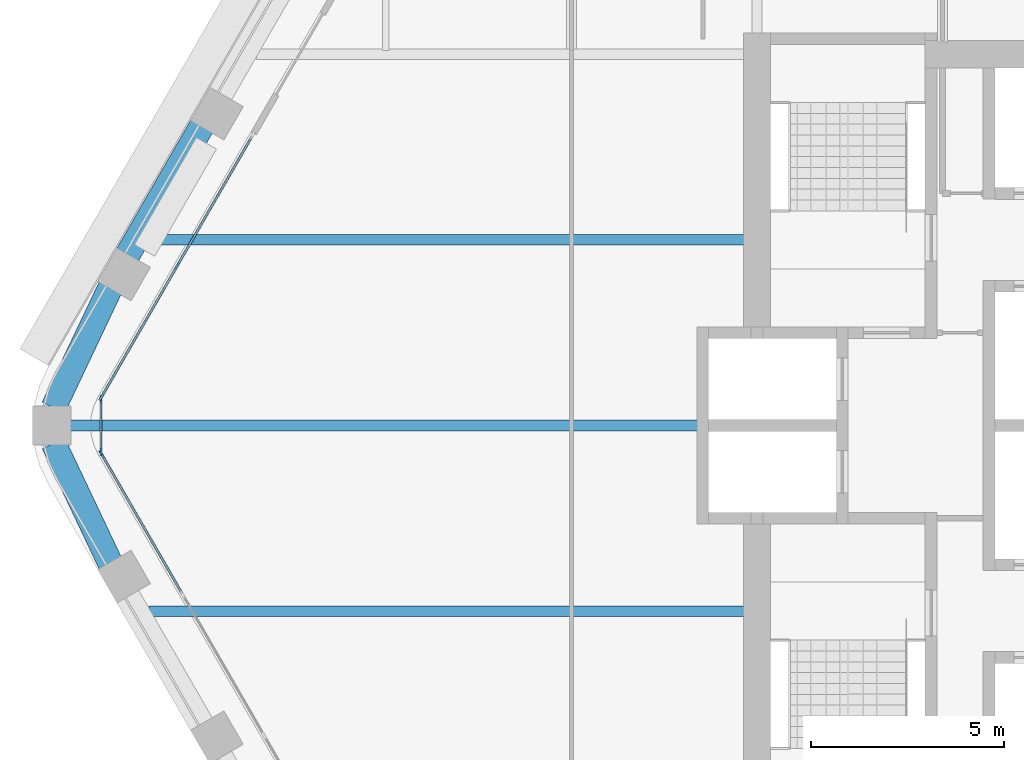
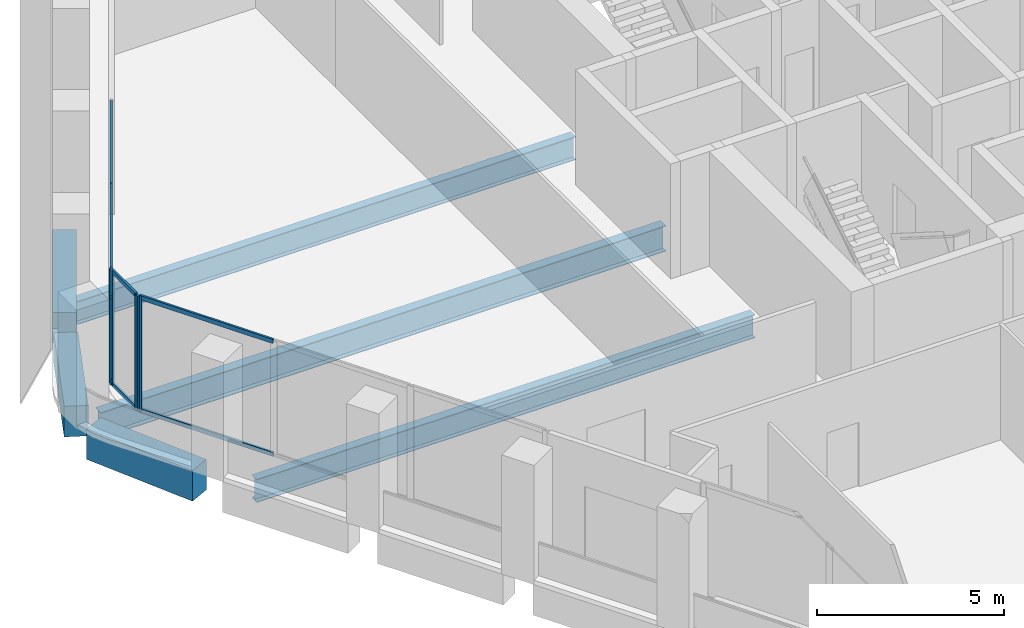
# One storey, part 3 of 15: 13 members, 6 beams, 3 elements without a shape of their own.
"""IFC4 building model written with IfcOpenShell, lengths in metres."""

from ifc_helpers import new_model, si_unit, direction, frame, origin, origin_2d, place, context, subcontext, project, spatial, rectangle, i_section, extrude, material, material_profile, profile_set, type_object, element, aggregate, save


model = new_model("IFC4")

# Units and contexts
model_context = context("Model", 3, precision=1e-05, world=origin(), true_north=direction((0.0, 1.0)))
body_context = subcontext(model_context, "Body", "Model", "MODEL_VIEW")
ifc_project = project(units=[si_unit("LENGTHUNIT", "METRE"), si_unit("AREAUNIT", "SQUARE_METRE"), si_unit("VOLUMEUNIT", "CUBIC_METRE"), si_unit("PLANEANGLEUNIT", "RADIAN"), si_unit("MASSUNIT", "GRAM", prefix="KILO")], contexts=[model_context])

# Site, building, storey
site_placement = place(None, origin())
site = spatial("IfcSite", under=ifc_project, at=site_placement, CompositionType="ELEMENT")
building_placement = place(site_placement, origin())
building = spatial("IfcBuilding", under=site, at=building_placement, Name="Kolab Exchange Tower", CompositionType="ELEMENT")
storey_placement = place(building_placement, frame((0.0, 0.0, 154.39990234375)))
storey = spatial("IfcBuildingStorey", under=building, at=storey_placement, Name="L31", CompositionType="ELEMENT", Elevation=154.39990234375)

# Beams
ifc_material_1 = material(Name="Steel S355", Category="steel")
ifc_material_profile_1 = material_profile(ifc_material_1, i_section(OverallWidth=0.26708984375, OverallDepth=0.761962890625, WebThickness=0.014404296875, FlangeThickness=0.021484375, at=origin_2d()), Name="W760X173")
ifc_profile_set_1 = profile_set([ifc_material_profile_1], Name="Steel S355")
beam_type_1 = type_object("IfcBeamType", Name="FLOOR BEAM W760X173", PredefinedType="BEAM", material=ifc_profile_set_1)
for number, where, z_axis, x_axis, name in (
    (1, (-25.318115234375, -4.800048828125, -0.531005859375), (1.0, 0.0, 0.0), (0.0, 1.0, 0.0), "beam/L31/fr/001"),
    (2, (-25.318115234375, 4.800048828125, -0.531005859375), (1.0, 0.0, 0.0), (0.0, 1.0, 0.0), "beam/L31/fr/002"),
):
    element("IfcBeam", number, at=place(storey_placement, frame(where, z_axis=z_axis, x_axis=x_axis)), inside=storey, type_object=beam_type_1, Name=name, PredefinedType="BEAM", context=body_context, shape_type="SweptSolid", body=[
        extrude(i_section(OverallWidth=0.26708984375, OverallDepth=0.761962890625, WebThickness=0.014404296875, FlangeThickness=0.021484375, at=origin_2d()), origin(), (0.0, 0.0, 1.0), 15.408203125),
    ])
ifc_material_profile_2 = material_profile(ifc_material_1, i_section(OverallWidth=0.2919921875, OverallDepth=0.840087890625, WebThickness=0.0146484375, FlangeThickness=0.021728515625, at=origin_2d()), Name="W840X193")
ifc_profile_set_2 = profile_set([ifc_material_profile_2], Name="Steel S355")
beam_type_2 = type_object("IfcBeamType", Name="FLOOR BEAM W840X193", PredefinedType="BEAM", material=ifc_profile_set_2)
beam_1_placement = place(storey_placement, frame((-27.3759765625, 0.0, -0.56982421875), z_axis=(1.0, 0.0, 0.0), x_axis=(0.0, 1.0, 0.0)))
element("IfcBeam", 3, at=beam_1_placement, inside=storey, type_object=beam_type_2, Name="beam/L31/fr/000", PredefinedType="BEAM", context=body_context, shape_type="SweptSolid", body=[
    extrude(i_section(OverallWidth=0.2919921875, OverallDepth=0.840087890625, WebThickness=0.0146484375, FlangeThickness=0.021728515625, at=origin_2d()), origin(), (0.0, 0.0, 1.0), 17.466064453125),
])
ifc_material_2 = material(Name="Concrete C60/75", Category="concrete")
ifc_material_profile_3 = material_profile(ifc_material_2, rectangle(XDim=0.64990234375, YDim=1.0, at=origin_2d()), Name="RC650X1000")
ifc_profile_set_3 = profile_set([ifc_material_profile_3], Name="Concrete C60/75")
beam_type_3 = type_object("IfcBeamType", Name="SPANDREL BEAM 650X1000 C60/75", PredefinedType="BEAM", material=ifc_profile_set_3)
for number, where, z_axis, x_axis, name in (
    (4, (-26.316162109375, -3.5771484375, -0.64990234375), (-0.428177731975, 0.903694544545, 0.0), (-0.903694544545, -0.428177731975, 0.0), "beam/L31/sp/F5-06"),
    (5, (-27.791259765625, 0.4638671875, -0.64990234375), (0.428177731975, 0.903694544545, 0.0), (-0.903694544545, 0.428177731975, 0.0), "beam/L31/sp/F6-01"),
):
    element("IfcBeam", number, at=place(storey_placement, frame(where, z_axis=z_axis, x_axis=x_axis)), inside=storey, type_object=beam_type_3, Name=name, PredefinedType="BEAM", context=body_context, shape_type="SweptSolid", body=[
        extrude(rectangle(XDim=0.64990234375, YDim=1.0, at=origin_2d()), origin(), (0.0, 0.0, 1.0), 3.445068359375),
    ])
beam_2_placement = place(storey_placement, frame((-25.888427734375, 4.392822265625, -0.64990234375), z_axis=(0.499996613652, 0.866027358884, 0.0), x_axis=(-0.866027358884, 0.499996613652, 0.0)))
element("IfcBeam", 6, at=beam_2_placement, inside=storey, type_object=beam_type_3, Name="beam/L31/sp/F6-02", PredefinedType="BEAM", context=body_context, shape_type="SweptSolid", body=[
    extrude(rectangle(XDim=0.64990234375, YDim=1.0, at=origin_2d()), origin(), (0.0, 0.0, 1.0), 3.8798828125),
])

# Curtain wall, member
ifc_material_3 = material(Name="Aluminium EN AW-6063 T6", Category="aluminium")
curtain_wall_type = type_object("IfcCurtainWallType", Name="UNITISED UPPER MID ZONE CURTAIN WALL", PredefinedType="NOTDEFINED", material=ifc_material_3)
curtain_wall_1_placement = place(storey_placement, origin())
curtain_wall_1 = element("IfcCurtainWall", 7, at=curtain_wall_1_placement, inside=storey, type_object=curtain_wall_type, Name="cw/L31/F5-2", PredefinedType="NOTDEFINED")
ifc_material_profile_4 = material_profile(ifc_material_3, rectangle(XDim=0.06005859375, YDim=0.199951171875, at=origin_2d()), Name="RECT 60X200")
ifc_profile_set_4 = profile_set([ifc_material_profile_4], Name="Aluminium EN AW-6063 T6")
member_type_1 = type_object("IfcMemberType", Name="UNITISED UPPER MID ZONE MULLION 60 X 200", PredefinedType="MULLION", material=ifc_profile_set_4)
member_1_placement = place(storey_placement, frame((-26.550537109375, -0.736083984375, 0.0), z_axis=(0.0, 0.0, 1.0), x_axis=(-0.866025427826, -0.499999958358, 0.0)))
member_1 = element("IfcMember", 8, at=member_1_placement, type_object=member_type_1, Name="CW3 mullion 4", PredefinedType="MULLION", context=body_context, shape_type="SweptSolid", body=[
    extrude(rectangle(XDim=0.06005859375, YDim=0.199951171875, at=origin_2d()), origin(), (0.0, 0.0, 1.0), 3.75),
])

# Curtain wall, members
curtain_wall_2_placement = place(storey_placement, origin())
curtain_wall_2 = element("IfcCurtainWall", 9, at=curtain_wall_2_placement, inside=storey, type_object=curtain_wall_type, Name="cw/L31/F6-1", PredefinedType="NOTDEFINED")
member_2_placement = place(storey_placement, frame((-26.550537109375, 0.736083984375, 0.0), z_axis=(0.0, 0.0, 1.0), x_axis=(-0.866025440524, 0.499999936366, 0.0)))
member_2 = element("IfcMember", 10, at=member_2_placement, type_object=member_type_1, Name="CW3 mullion 1", PredefinedType="MULLION", context=body_context, shape_type="SweptSolid", body=[
    extrude(rectangle(XDim=0.06005859375, YDim=0.199951171875, at=origin_2d()), origin(), (0.0, 0.0, 1.0), 3.75),
])
member_3_placement = place(storey_placement, frame((-24.5986328125, 4.116943359375, 0.0), z_axis=(0.0, 0.0, 1.0), x_axis=(-0.866025440524, 0.499999936366, 0.0)))
member_3 = element("IfcMember", 11, at=member_3_placement, type_object=member_type_1, Name="CW3 mullion 2", PredefinedType="MULLION", context=body_context, shape_type="SweptSolid", body=[
    extrude(rectangle(XDim=0.06005859375, YDim=0.199951171875, at=origin_2d()), origin(), (0.0, 0.0, 1.0), 3.75),
])

curtain_wall_3_placement = place(storey_placement, origin())
curtain_wall_3 = element("IfcCurtainWall", 12, at=curtain_wall_3_placement, inside=storey, type_object=curtain_wall_type, Name="cw/L31/F5F6-corner", PredefinedType="NOTDEFINED")
member_4_placement = place(storey_placement, frame((-26.565673828125, -0.679931640625, 0.0), z_axis=(0.0, 0.0, 1.0), x_axis=(-1.0, 0.0, 0.0)))
member_4 = element("IfcMember", 13, at=member_4_placement, type_object=member_type_1, Name="CW3 mullion 1", PredefinedType="MULLION", context=body_context, shape_type="SweptSolid", body=[
    extrude(rectangle(XDim=0.06005859375, YDim=0.199951171875, at=origin_2d()), origin(), (0.0, 0.0, 1.0), 3.75),
])
member_5_placement = place(storey_placement, frame((-26.565673828125, 0.679931640625, 0.0), z_axis=(0.0, 0.0, 1.0), x_axis=(-1.0, 0.0, 0.0)))
member_5 = element("IfcMember", 14, at=member_5_placement, type_object=member_type_1, Name="CW3 mullion 2", PredefinedType="MULLION", context=body_context, shape_type="SweptSolid", body=[
    extrude(rectangle(XDim=0.06005859375, YDim=0.199951171875, at=origin_2d()), origin(), (0.0, 0.0, 1.0), 3.75),
])

# Member
ifc_material_profile_5 = material_profile(ifc_material_3, rectangle(XDim=0.06005859375, YDim=0.139892578125, at=origin_2d()), Name="RECT 60X140")
ifc_profile_set_5 = profile_set([ifc_material_profile_5], Name="Aluminium EN AW-6063 T6")
member_type_2 = type_object("IfcMemberType", Name="UNITISED UPPER MID ZONE TRANSOM 60 X 140", PredefinedType="USERDEFINED", material=ifc_profile_set_5)
member_6_placement = place(storey_placement, frame((-24.46923828125, -4.3408203125, 0.030029296875), z_axis=(-0.500027577057, 0.866009481578, 0.0), x_axis=(-0.866009481578, -0.500027577057, 0.0)))
member_6 = element("IfcMember", 15, at=member_6_placement, type_object=member_type_2, Name="CW3 transom 3.1", ObjectType="TRANSOM", PredefinedType="USERDEFINED", context=body_context, shape_type="SweptSolid", body=[
    extrude(rectangle(XDim=0.06005859375, YDim=0.139892578125, at=origin_2d()), origin(), (0.0, 0.0, 1.0), 4.132568359375),
])

member_7_placement = place(storey_placement, frame((-24.46923828125, -4.3408203125, 3.72021484375), z_axis=(-0.500027577057, 0.866009481578, 0.0), x_axis=(-0.866009481578, -0.500027577057, 0.0)))
member_7 = element("IfcMember", 16, at=member_7_placement, type_object=member_type_2, Name="CW3 transom 3.2", ObjectType="TRANSOM", PredefinedType="USERDEFINED", context=body_context, shape_type="SweptSolid", body=[
    extrude(rectangle(XDim=0.06005859375, YDim=0.139892578125, at=origin_2d()), origin(), (0.0, 0.0, 1.0), 4.132568359375),
])

aggregate(curtain_wall_1, [member_1, member_6, member_7])

member_8_placement = place(storey_placement, frame((-26.53564453125, 0.761962890625, 0.030029296875), z_axis=(0.499991857942, 0.866030104553, 0.0), x_axis=(-0.866030104553, 0.499991857942, 0.0)))
member_8 = element("IfcMember", 17, at=member_8_placement, type_object=member_type_2, Name="CW3 transom 1.1", ObjectType="TRANSOM", PredefinedType="USERDEFINED", context=body_context, shape_type="SweptSolid", body=[
    extrude(rectangle(XDim=0.06005859375, YDim=0.139892578125, at=origin_2d()), origin(), (0.0, 0.0, 1.0), 3.84375),
])

member_9_placement = place(storey_placement, frame((-26.53564453125, 0.761962890625, 3.72021484375), z_axis=(0.499991857942, 0.866030104553, 0.0), x_axis=(-0.866030104553, 0.499991857942, 0.0)))
member_9 = element("IfcMember", 18, at=member_9_placement, type_object=member_type_2, Name="CW3 transom 1.2", ObjectType="TRANSOM", PredefinedType="USERDEFINED", context=body_context, shape_type="SweptSolid", body=[
    extrude(rectangle(XDim=0.06005859375, YDim=0.139892578125, at=origin_2d()), origin(), (0.0, 0.0, 1.0), 3.84375),
])

member_10_placement = place(storey_placement, frame((-24.583740234375, 4.142822265625, 0.030029296875), z_axis=(0.500011990396, 0.866018481016, 0.0), x_axis=(-0.866018481016, 0.500011990396, 0.0)))
member_10 = element("IfcMember", 19, at=member_10_placement, type_object=member_type_2, Name="CW3 transom 2.1", ObjectType="TRANSOM", PredefinedType="USERDEFINED", context=body_context, shape_type="SweptSolid", body=[
    extrude(rectangle(XDim=0.06005859375, YDim=0.139892578125, at=origin_2d()), origin(), (0.0, 0.0, 1.0), 3.84423828125),
])

member_11_placement = place(storey_placement, frame((-24.583740234375, 4.142822265625, 3.72021484375), z_axis=(0.500011990396, 0.866018481016, 0.0), x_axis=(-0.866018481016, 0.500011990396, 0.0)))
member_11 = element("IfcMember", 20, at=member_11_placement, type_object=member_type_2, Name="CW3 transom 2.2", ObjectType="TRANSOM", PredefinedType="USERDEFINED", context=body_context, shape_type="SweptSolid", body=[
    extrude(rectangle(XDim=0.06005859375, YDim=0.139892578125, at=origin_2d()), origin(), (0.0, 0.0, 1.0), 3.84423828125),
])

aggregate(curtain_wall_2, [member_2, member_3, member_8, member_9, member_10, member_11])

member_12_placement = place(storey_placement, frame((-26.565673828125, -0.64990234375, 0.030029296875), z_axis=(0.0, 1.0, 0.0), x_axis=(-1.0, 0.0, 0.0)))
member_12 = element("IfcMember", 21, at=member_12_placement, type_object=member_type_2, Name="CW3 transom 1.1", ObjectType="TRANSOM", PredefinedType="USERDEFINED", context=body_context, shape_type="SweptSolid", body=[
    extrude(rectangle(XDim=0.06005859375, YDim=0.139892578125, at=origin_2d()), origin(), (0.0, 0.0, 1.0), 1.2998046875),
])

member_13_placement = place(storey_placement, frame((-26.565673828125, -0.64990234375, 3.72021484375), z_axis=(0.0, 1.0, 0.0), x_axis=(-1.0, 0.0, 0.0)))
member_13 = element("IfcMember", 22, at=member_13_placement, type_object=member_type_2, Name="CW3 transom 1.2", ObjectType="TRANSOM", PredefinedType="USERDEFINED", context=body_context, shape_type="SweptSolid", body=[
    extrude(rectangle(XDim=0.06005859375, YDim=0.139892578125, at=origin_2d()), origin(), (0.0, 0.0, 1.0), 1.2998046875),
])

aggregate(curtain_wall_3, [member_4, member_5, member_12, member_13])

save(model, "model.ifc")
